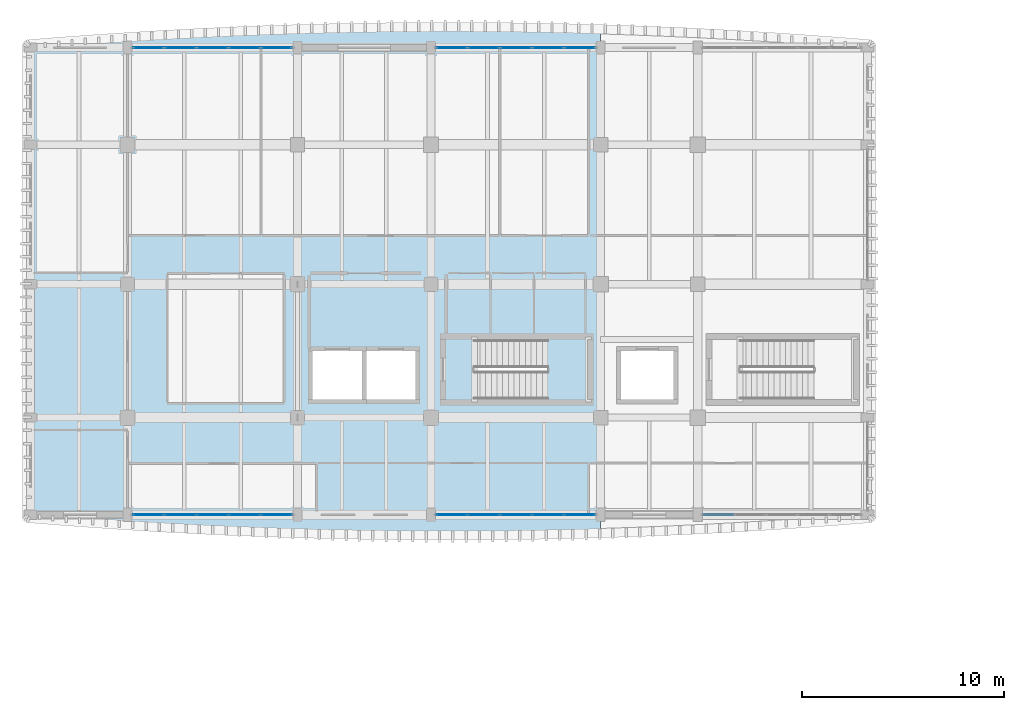
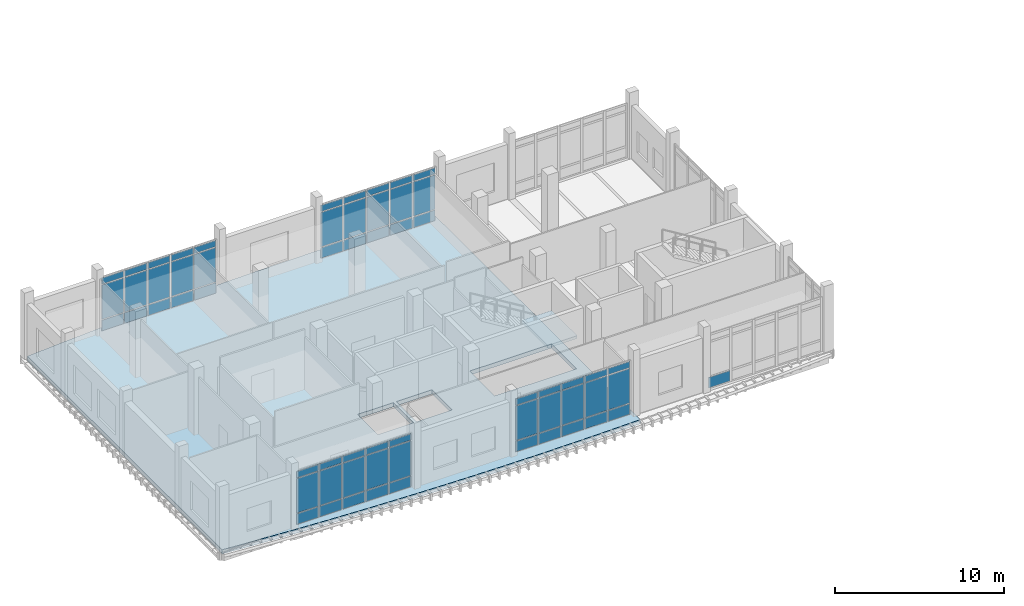
# One storey, part 14 of 39: 61 plates, 2 slabs, 6 elements without a shape of their own.
"""IFC4 building model written with IfcOpenShell, lengths in metres."""

from ifc_helpers import new_model, si_unit, direction, frame, origin, origin_2d, place, context, subcontext, project, spatial, polyline, rectangle, outline, extrude, material, layer, layer_set, type_object, element, aggregate, save


model = new_model("IFC4")

# Units and contexts
model_context = context("Model", 3, precision=1e-05, world=origin(), true_north=direction((0.0, 1.0)))
body_context = subcontext(model_context, "Body", "Model", "MODEL_VIEW")
ifc_project = project(units=[si_unit("LENGTHUNIT", "METRE"), si_unit("AREAUNIT", "SQUARE_METRE"), si_unit("VOLUMEUNIT", "CUBIC_METRE"), si_unit("PLANEANGLEUNIT", "RADIAN"), si_unit("MASSUNIT", "GRAM", prefix="KILO")], contexts=[model_context])

# Site, building, storey
site_placement = place(None, origin())
site = spatial("IfcSite", under=ifc_project, at=site_placement, CompositionType="ELEMENT")
building_placement = place(site_placement, origin())
building = spatial("IfcBuilding", under=site, at=building_placement, Name="Dornvale Research Institute", CompositionType="ELEMENT")
storey_placement = place(building_placement, frame((0.0, 0.0, 24.60009765625)))
storey = spatial("IfcBuildingStorey", under=building, at=storey_placement, Name="L05", CompositionType="ELEMENT", Elevation=24.60009765625)

# Curtain wall, plates
ifc_material_1 = material(Name="Low-E Argon Double Insulating Glazing Unit", Category="glass")
curtain_wall_type_1 = type_object("IfcCurtainWallType", Name="UnitisedCurtainWall_V5_7950x3950", PredefinedType="USERDEFINED", material=ifc_material_1)
curtain_wall_1_placement = place(storey_placement, origin())
curtain_wall_1 = element("IfcCurtainWall", 1, at=curtain_wall_1_placement, inside=storey, type_object=curtain_wall_type_1, Name="L05 V5 unitised curtain wall CW-30 #165", ObjectType="UNITISED CURTAIN WALL", PredefinedType="USERDEFINED")
ifc_material_2 = material(Name="Insulated Ceramic-Frit Spandrel Glass Panel", Category="glass")
ifc_layer_1 = layer(ifc_material_2, 0.0419921875)
ifc_layer_set_1 = layer_set([ifc_layer_1], Name="Insulated Ceramic-Frit Spandrel Glass Panel")
plate_type_1 = type_object("IfcPlateType", Name="CurtainPanel_Spandrel_42", PredefinedType="CURTAIN_PANEL", material=ifc_layer_set_1)
plate_1_placement = place(storey_placement, frame((5.836181640625, 122.10009765625, 0.06494140625), z_axis=(0.0, 0.0, 1.0), x_axis=(1.0, 0.0, 0.0)))
plate_1 = element("IfcPlate", 2, at=plate_1_placement, type_object=plate_type_1, Name="CW-30 panel 1.1", PredefinedType="CURTAIN_PANEL", context=body_context, shape_type="SweptSolid", body=[
    extrude(rectangle(XDim=1.492431640625, YDim=0.0419921875, at=origin_2d()), origin(), (0.0, 0.0, 1.0), 0.75244140625),
])
plate_2_placement = place(storey_placement, frame((7.409912109375, 122.10009765625, 0.06494140625), z_axis=(0.0, 0.0, 1.0), x_axis=(1.0, 0.0, 0.0)))
plate_2 = element("IfcPlate", 3, at=plate_2_placement, type_object=plate_type_1, Name="CW-30 panel 2.1", PredefinedType="CURTAIN_PANEL", context=body_context, shape_type="SweptSolid", body=[
    extrude(rectangle(XDim=1.52490234375, YDim=0.0419921875, at=origin_2d()), origin(), (0.0, 0.0, 1.0), 0.75244140625),
])
plate_3_placement = place(storey_placement, frame((9.0, 122.10009765625, 0.06494140625), z_axis=(0.0, 0.0, 1.0), x_axis=(1.0, 0.0, 0.0)))
plate_3 = element("IfcPlate", 4, at=plate_3_placement, type_object=plate_type_1, Name="CW-30 panel 3.1", PredefinedType="CURTAIN_PANEL", context=body_context, shape_type="SweptSolid", body=[
    extrude(rectangle(XDim=1.52490234375, YDim=0.0419921875, at=origin_2d()), origin(), (0.0, 0.0, 1.0), 0.75244140625),
])
plate_4_placement = place(storey_placement, frame((10.590087890625, 122.10009765625, 0.06494140625), z_axis=(0.0, 0.0, 1.0), x_axis=(1.0, 0.0, 0.0)))
plate_4 = element("IfcPlate", 5, at=plate_4_placement, type_object=plate_type_1, Name="CW-30 panel 4.1", PredefinedType="CURTAIN_PANEL", context=body_context, shape_type="SweptSolid", body=[
    extrude(rectangle(XDim=1.52490234375, YDim=0.0419921875, at=origin_2d()), origin(), (0.0, 0.0, 1.0), 0.75244140625),
])
plate_5_placement = place(storey_placement, frame((12.163818359375, 122.10009765625, 0.06494140625), z_axis=(0.0, 0.0, 1.0), x_axis=(1.0, 0.0, 0.0)))
plate_5 = element("IfcPlate", 6, at=plate_5_placement, type_object=plate_type_1, Name="CW-30 panel 5.1", PredefinedType="CURTAIN_PANEL", context=body_context, shape_type="SweptSolid", body=[
    extrude(rectangle(XDim=1.492431640625, YDim=0.0419921875, at=origin_2d()), origin(), (0.0, 0.0, 1.0), 0.75244140625),
])

curtain_wall_2_placement = place(storey_placement, origin())
curtain_wall_2 = element("IfcCurtainWall", 7, at=curtain_wall_2_placement, inside=storey, type_object=curtain_wall_type_1, Name="L05 V5 unitised curtain wall CW-30 #166", ObjectType="UNITISED CURTAIN WALL", PredefinedType="USERDEFINED")
plate_6_placement = place(storey_placement, frame((20.836181640625, 122.10009765625, 0.06494140625), z_axis=(0.0, 0.0, 1.0), x_axis=(1.0, 0.0, 0.0)))
plate_6 = element("IfcPlate", 8, at=plate_6_placement, type_object=plate_type_1, Name="CW-30 panel 1.1", PredefinedType="CURTAIN_PANEL", context=body_context, shape_type="SweptSolid", body=[
    extrude(rectangle(XDim=1.492431640625, YDim=0.0419921875, at=origin_2d()), origin(), (0.0, 0.0, 1.0), 0.75244140625),
])
plate_7_placement = place(storey_placement, frame((22.409912109375, 122.10009765625, 0.06494140625), z_axis=(0.0, 0.0, 1.0), x_axis=(1.0, 0.0, 0.0)))
plate_7 = element("IfcPlate", 9, at=plate_7_placement, type_object=plate_type_1, Name="CW-30 panel 2.1", PredefinedType="CURTAIN_PANEL", context=body_context, shape_type="SweptSolid", body=[
    extrude(rectangle(XDim=1.52490234375, YDim=0.0419921875, at=origin_2d()), origin(), (0.0, 0.0, 1.0), 0.75244140625),
])
plate_8_placement = place(storey_placement, frame((24.0, 122.10009765625, 0.06494140625), z_axis=(0.0, 0.0, 1.0), x_axis=(1.0, 0.0, 0.0)))
plate_8 = element("IfcPlate", 10, at=plate_8_placement, type_object=plate_type_1, Name="CW-30 panel 3.1", PredefinedType="CURTAIN_PANEL", context=body_context, shape_type="SweptSolid", body=[
    extrude(rectangle(XDim=1.52490234375, YDim=0.0419921875, at=origin_2d()), origin(), (0.0, 0.0, 1.0), 0.75244140625),
])
plate_9_placement = place(storey_placement, frame((25.590087890625, 122.10009765625, 0.06494140625), z_axis=(0.0, 0.0, 1.0), x_axis=(1.0, 0.0, 0.0)))
plate_9 = element("IfcPlate", 11, at=plate_9_placement, type_object=plate_type_1, Name="CW-30 panel 4.1", PredefinedType="CURTAIN_PANEL", context=body_context, shape_type="SweptSolid", body=[
    extrude(rectangle(XDim=1.52490234375, YDim=0.0419921875, at=origin_2d()), origin(), (0.0, 0.0, 1.0), 0.75244140625),
])
plate_10_placement = place(storey_placement, frame((27.163818359375, 122.10009765625, 0.06494140625), z_axis=(0.0, 0.0, 1.0), x_axis=(1.0, 0.0, 0.0)))
plate_10 = element("IfcPlate", 12, at=plate_10_placement, type_object=plate_type_1, Name="CW-30 panel 5.1", PredefinedType="CURTAIN_PANEL", context=body_context, shape_type="SweptSolid", body=[
    extrude(rectangle(XDim=1.492431640625, YDim=0.0419921875, at=origin_2d()), origin(), (0.0, 0.0, 1.0), 0.75244140625),
])

# Curtain wall, plate
ifc_material_3 = material(Name="Low-E Argon Double Insulating Glazing Unit", Category="glass")
curtain_wall_type_2 = type_object("IfcCurtainWallType", Name="UnitisedCurtainWall_V5_7850x3950", PredefinedType="USERDEFINED", material=ifc_material_3)
curtain_wall_3_placement = place(storey_placement, origin())
curtain_wall_3 = element("IfcCurtainWall", 13, at=curtain_wall_3_placement, inside=storey, type_object=curtain_wall_type_2, Name="L05 V5 unitised curtain wall CW-31 #170", ObjectType="UNITISED CURTAIN WALL", PredefinedType="USERDEFINED")
plate_11_placement = place(storey_placement, frame((34.0263671875, 99.0, 0.06494140625), z_axis=(0.0, 0.0, 1.0), x_axis=(-1.0, 0.0, 0.0)))
plate_11 = element("IfcPlate", 14, at=plate_11_placement, type_object=plate_type_1, Name="CW-31 panel 5.1", PredefinedType="CURTAIN_PANEL", context=body_context, shape_type="SweptSolid", body=[
    extrude(rectangle(XDim=1.472412109375, YDim=0.0419921875, at=origin_2d()), origin(), (0.0, 0.0, 1.0), 0.75244140625),
])
aggregate(curtain_wall_3, [plate_11])

# Curtain wall, plates
curtain_wall_4_placement = place(storey_placement, origin())
curtain_wall_4 = element("IfcCurtainWall", 15, at=curtain_wall_4_placement, inside=storey, type_object=curtain_wall_type_1, Name="L05 V5 unitised curtain wall CW-30 #171", ObjectType="UNITISED CURTAIN WALL", PredefinedType="USERDEFINED")
plate_12_placement = place(storey_placement, frame((27.163818359375, 99.0, 0.06494140625), z_axis=(0.0, 0.0, 1.0), x_axis=(-1.0, 0.0, 0.0)))
plate_12 = element("IfcPlate", 16, at=plate_12_placement, type_object=plate_type_1, Name="CW-30 panel 1.1", PredefinedType="CURTAIN_PANEL", context=body_context, shape_type="SweptSolid", body=[
    extrude(rectangle(XDim=1.492431640625, YDim=0.0419921875, at=origin_2d()), origin(), (0.0, 0.0, 1.0), 0.75244140625),
])
plate_13_placement = place(storey_placement, frame((25.590087890625, 99.0, 0.06494140625), z_axis=(0.0, 0.0, 1.0), x_axis=(-1.0, 0.0, 0.0)))
plate_13 = element("IfcPlate", 17, at=plate_13_placement, type_object=plate_type_1, Name="CW-30 panel 2.1", PredefinedType="CURTAIN_PANEL", context=body_context, shape_type="SweptSolid", body=[
    extrude(rectangle(XDim=1.52490234375, YDim=0.0419921875, at=origin_2d()), origin(), (0.0, 0.0, 1.0), 0.75244140625),
])
plate_14_placement = place(storey_placement, frame((24.0, 99.0, 0.06494140625), z_axis=(0.0, 0.0, 1.0), x_axis=(-1.0, 0.0, 0.0)))
plate_14 = element("IfcPlate", 18, at=plate_14_placement, type_object=plate_type_1, Name="CW-30 panel 3.1", PredefinedType="CURTAIN_PANEL", context=body_context, shape_type="SweptSolid", body=[
    extrude(rectangle(XDim=1.52490234375, YDim=0.0419921875, at=origin_2d()), origin(), (0.0, 0.0, 1.0), 0.75244140625),
])
plate_15_placement = place(storey_placement, frame((22.409912109375, 99.0, 0.06494140625), z_axis=(0.0, 0.0, 1.0), x_axis=(-1.0, 0.0, 0.0)))
plate_15 = element("IfcPlate", 19, at=plate_15_placement, type_object=plate_type_1, Name="CW-30 panel 4.1", PredefinedType="CURTAIN_PANEL", context=body_context, shape_type="SweptSolid", body=[
    extrude(rectangle(XDim=1.52490234375, YDim=0.0419921875, at=origin_2d()), origin(), (0.0, 0.0, 1.0), 0.75244140625),
])
plate_16_placement = place(storey_placement, frame((20.836181640625, 99.0, 0.06494140625), z_axis=(0.0, 0.0, 1.0), x_axis=(-1.0, 0.0, 0.0)))
plate_16 = element("IfcPlate", 20, at=plate_16_placement, type_object=plate_type_1, Name="CW-30 panel 5.1", PredefinedType="CURTAIN_PANEL", context=body_context, shape_type="SweptSolid", body=[
    extrude(rectangle(XDim=1.492431640625, YDim=0.0419921875, at=origin_2d()), origin(), (0.0, 0.0, 1.0), 0.75244140625),
])

curtain_wall_5_placement = place(storey_placement, origin())
curtain_wall_5 = element("IfcCurtainWall", 21, at=curtain_wall_5_placement, inside=storey, type_object=curtain_wall_type_1, Name="L05 V5 unitised curtain wall CW-30 #172", ObjectType="UNITISED CURTAIN WALL", PredefinedType="USERDEFINED")
plate_17_placement = place(storey_placement, frame((12.163818359375, 99.0, 0.06494140625), z_axis=(0.0, 0.0, 1.0), x_axis=(-1.0, 0.0, 0.0)))
plate_17 = element("IfcPlate", 22, at=plate_17_placement, type_object=plate_type_1, Name="CW-30 panel 1.1", PredefinedType="CURTAIN_PANEL", context=body_context, shape_type="SweptSolid", body=[
    extrude(rectangle(XDim=1.492431640625, YDim=0.0419921875, at=origin_2d()), origin(), (0.0, 0.0, 1.0), 0.75244140625),
])
plate_18_placement = place(storey_placement, frame((10.590087890625, 99.0, 0.06494140625), z_axis=(0.0, 0.0, 1.0), x_axis=(-1.0, 0.0, 0.0)))
plate_18 = element("IfcPlate", 23, at=plate_18_placement, type_object=plate_type_1, Name="CW-30 panel 2.1", PredefinedType="CURTAIN_PANEL", context=body_context, shape_type="SweptSolid", body=[
    extrude(rectangle(XDim=1.52490234375, YDim=0.0419921875, at=origin_2d()), origin(), (0.0, 0.0, 1.0), 0.75244140625),
])
plate_19_placement = place(storey_placement, frame((9.0, 99.0, 0.06494140625), z_axis=(0.0, 0.0, 1.0), x_axis=(-1.0, 0.0, 0.0)))
plate_19 = element("IfcPlate", 24, at=plate_19_placement, type_object=plate_type_1, Name="CW-30 panel 3.1", PredefinedType="CURTAIN_PANEL", context=body_context, shape_type="SweptSolid", body=[
    extrude(rectangle(XDim=1.52490234375, YDim=0.0419921875, at=origin_2d()), origin(), (0.0, 0.0, 1.0), 0.75244140625),
])
plate_20_placement = place(storey_placement, frame((7.409912109375, 99.0, 0.06494140625), z_axis=(0.0, 0.0, 1.0), x_axis=(-1.0, 0.0, 0.0)))
plate_20 = element("IfcPlate", 25, at=plate_20_placement, type_object=plate_type_1, Name="CW-30 panel 4.1", PredefinedType="CURTAIN_PANEL", context=body_context, shape_type="SweptSolid", body=[
    extrude(rectangle(XDim=1.52490234375, YDim=0.0419921875, at=origin_2d()), origin(), (0.0, 0.0, 1.0), 0.75244140625),
])
plate_21_placement = place(storey_placement, frame((5.836181640625, 99.0, 0.06494140625), z_axis=(0.0, 0.0, 1.0), x_axis=(-1.0, 0.0, 0.0)))
plate_21 = element("IfcPlate", 26, at=plate_21_placement, type_object=plate_type_1, Name="CW-30 panel 5.1", PredefinedType="CURTAIN_PANEL", context=body_context, shape_type="SweptSolid", body=[
    extrude(rectangle(XDim=1.492431640625, YDim=0.0419921875, at=origin_2d()), origin(), (0.0, 0.0, 1.0), 0.75244140625),
])

# Plate
ifc_material_4 = material(Name="Low-E Argon Double Insulating Glazing Unit", Category="glass")
ifc_layer_2 = layer(ifc_material_4, 0.028076171875)
ifc_layer_set_2 = layer_set([ifc_layer_2], Name="Low-E Argon Double Insulating Glazing Unit")
plate_type_2 = type_object("IfcPlateType", Name="CurtainPanel_Vision_28", PredefinedType="CURTAIN_PANEL", material=ifc_layer_set_2)
plate_22_placement = place(storey_placement, frame((5.836181640625, 122.10009765625, 0.88232421875), z_axis=(0.0, 0.0, 1.0), x_axis=(1.0, 0.0, 0.0)))
plate_22 = element("IfcPlate", 27, at=plate_22_placement, type_object=plate_type_2, Name="CW-30 panel 1.2", PredefinedType="CURTAIN_PANEL", context=body_context, shape_type="SweptSolid", body=[
    extrude(rectangle(XDim=1.492431640625, YDim=0.028076171875, at=origin_2d()), origin(), (0.0, 0.0, 1.0), 2.485107421875),
])

plate_23_placement = place(storey_placement, frame((5.836181640625, 122.10009765625, 3.4326171875), z_axis=(0.0, 0.0, 1.0), x_axis=(1.0, 0.0, 0.0)))
plate_23 = element("IfcPlate", 28, at=plate_23_placement, type_object=plate_type_2, Name="CW-30 panel 1.3", PredefinedType="CURTAIN_PANEL", context=body_context, shape_type="SweptSolid", body=[
    extrude(rectangle(XDim=1.492431640625, YDim=0.028076171875, at=origin_2d()), origin(), (0.0, 0.0, 1.0), 0.452392578125),
])

plate_24_placement = place(storey_placement, frame((7.409912109375, 122.10009765625, 0.88232421875), z_axis=(0.0, 0.0, 1.0), x_axis=(1.0, 0.0, 0.0)))
plate_24 = element("IfcPlate", 29, at=plate_24_placement, type_object=plate_type_2, Name="CW-30 panel 2.2", PredefinedType="CURTAIN_PANEL", context=body_context, shape_type="SweptSolid", body=[
    extrude(rectangle(XDim=1.52490234375, YDim=0.028076171875, at=origin_2d()), origin(), (0.0, 0.0, 1.0), 2.485107421875),
])

plate_25_placement = place(storey_placement, frame((7.409912109375, 122.10009765625, 3.4326171875), z_axis=(0.0, 0.0, 1.0), x_axis=(1.0, 0.0, 0.0)))
plate_25 = element("IfcPlate", 30, at=plate_25_placement, type_object=plate_type_2, Name="CW-30 panel 2.3", PredefinedType="CURTAIN_PANEL", context=body_context, shape_type="SweptSolid", body=[
    extrude(rectangle(XDim=1.52490234375, YDim=0.028076171875, at=origin_2d()), origin(), (0.0, 0.0, 1.0), 0.452392578125),
])

plate_26_placement = place(storey_placement, frame((9.0, 122.10009765625, 0.88232421875), z_axis=(0.0, 0.0, 1.0), x_axis=(1.0, 0.0, 0.0)))
plate_26 = element("IfcPlate", 31, at=plate_26_placement, type_object=plate_type_2, Name="CW-30 panel 3.2", PredefinedType="CURTAIN_PANEL", context=body_context, shape_type="SweptSolid", body=[
    extrude(rectangle(XDim=1.52490234375, YDim=0.028076171875, at=origin_2d()), origin(), (0.0, 0.0, 1.0), 2.485107421875),
])

plate_27_placement = place(storey_placement, frame((9.0, 122.10009765625, 3.4326171875), z_axis=(0.0, 0.0, 1.0), x_axis=(1.0, 0.0, 0.0)))
plate_27 = element("IfcPlate", 32, at=plate_27_placement, type_object=plate_type_2, Name="CW-30 panel 3.3", PredefinedType="CURTAIN_PANEL", context=body_context, shape_type="SweptSolid", body=[
    extrude(rectangle(XDim=1.52490234375, YDim=0.028076171875, at=origin_2d()), origin(), (0.0, 0.0, 1.0), 0.452392578125),
])

plate_28_placement = place(storey_placement, frame((10.590087890625, 122.10009765625, 0.88232421875), z_axis=(0.0, 0.0, 1.0), x_axis=(1.0, 0.0, 0.0)))
plate_28 = element("IfcPlate", 33, at=plate_28_placement, type_object=plate_type_2, Name="CW-30 panel 4.2", PredefinedType="CURTAIN_PANEL", context=body_context, shape_type="SweptSolid", body=[
    extrude(rectangle(XDim=1.52490234375, YDim=0.028076171875, at=origin_2d()), origin(), (0.0, 0.0, 1.0), 2.485107421875),
])

plate_29_placement = place(storey_placement, frame((10.590087890625, 122.10009765625, 3.4326171875), z_axis=(0.0, 0.0, 1.0), x_axis=(1.0, 0.0, 0.0)))
plate_29 = element("IfcPlate", 34, at=plate_29_placement, type_object=plate_type_2, Name="CW-30 panel 4.3", PredefinedType="CURTAIN_PANEL", context=body_context, shape_type="SweptSolid", body=[
    extrude(rectangle(XDim=1.52490234375, YDim=0.028076171875, at=origin_2d()), origin(), (0.0, 0.0, 1.0), 0.452392578125),
])

plate_30_placement = place(storey_placement, frame((12.163818359375, 122.10009765625, 0.88232421875), z_axis=(0.0, 0.0, 1.0), x_axis=(1.0, 0.0, 0.0)))
plate_30 = element("IfcPlate", 35, at=plate_30_placement, type_object=plate_type_2, Name="CW-30 panel 5.2", PredefinedType="CURTAIN_PANEL", context=body_context, shape_type="SweptSolid", body=[
    extrude(rectangle(XDim=1.492431640625, YDim=0.028076171875, at=origin_2d()), origin(), (0.0, 0.0, 1.0), 2.485107421875),
])

plate_31_placement = place(storey_placement, frame((12.163818359375, 122.10009765625, 3.4326171875), z_axis=(0.0, 0.0, 1.0), x_axis=(1.0, 0.0, 0.0)))
plate_31 = element("IfcPlate", 36, at=plate_31_placement, type_object=plate_type_2, Name="CW-30 panel 5.3", PredefinedType="CURTAIN_PANEL", context=body_context, shape_type="SweptSolid", body=[
    extrude(rectangle(XDim=1.492431640625, YDim=0.028076171875, at=origin_2d()), origin(), (0.0, 0.0, 1.0), 0.452392578125),
])

aggregate(curtain_wall_1, [plate_1, plate_22, plate_23, plate_2, plate_24, plate_25, plate_3, plate_26, plate_27, plate_4, plate_28, plate_29, plate_5, plate_30, plate_31])

plate_32_placement = place(storey_placement, frame((20.836181640625, 122.10009765625, 0.88232421875), z_axis=(0.0, 0.0, 1.0), x_axis=(1.0, 0.0, 0.0)))
plate_32 = element("IfcPlate", 37, at=plate_32_placement, type_object=plate_type_2, Name="CW-30 panel 1.2", PredefinedType="CURTAIN_PANEL", context=body_context, shape_type="SweptSolid", body=[
    extrude(rectangle(XDim=1.492431640625, YDim=0.028076171875, at=origin_2d()), origin(), (0.0, 0.0, 1.0), 2.485107421875),
])

plate_33_placement = place(storey_placement, frame((20.836181640625, 122.10009765625, 3.4326171875), z_axis=(0.0, 0.0, 1.0), x_axis=(1.0, 0.0, 0.0)))
plate_33 = element("IfcPlate", 38, at=plate_33_placement, type_object=plate_type_2, Name="CW-30 panel 1.3", PredefinedType="CURTAIN_PANEL", context=body_context, shape_type="SweptSolid", body=[
    extrude(rectangle(XDim=1.492431640625, YDim=0.028076171875, at=origin_2d()), origin(), (0.0, 0.0, 1.0), 0.452392578125),
])

plate_34_placement = place(storey_placement, frame((22.409912109375, 122.10009765625, 0.88232421875), z_axis=(0.0, 0.0, 1.0), x_axis=(1.0, 0.0, 0.0)))
plate_34 = element("IfcPlate", 39, at=plate_34_placement, type_object=plate_type_2, Name="CW-30 panel 2.2", PredefinedType="CURTAIN_PANEL", context=body_context, shape_type="SweptSolid", body=[
    extrude(rectangle(XDim=1.52490234375, YDim=0.028076171875, at=origin_2d()), origin(), (0.0, 0.0, 1.0), 2.485107421875),
])

plate_35_placement = place(storey_placement, frame((22.409912109375, 122.10009765625, 3.4326171875), z_axis=(0.0, 0.0, 1.0), x_axis=(1.0, 0.0, 0.0)))
plate_35 = element("IfcPlate", 40, at=plate_35_placement, type_object=plate_type_2, Name="CW-30 panel 2.3", PredefinedType="CURTAIN_PANEL", context=body_context, shape_type="SweptSolid", body=[
    extrude(rectangle(XDim=1.52490234375, YDim=0.028076171875, at=origin_2d()), origin(), (0.0, 0.0, 1.0), 0.452392578125),
])

plate_36_placement = place(storey_placement, frame((24.0, 122.10009765625, 0.88232421875), z_axis=(0.0, 0.0, 1.0), x_axis=(1.0, 0.0, 0.0)))
plate_36 = element("IfcPlate", 41, at=plate_36_placement, type_object=plate_type_2, Name="CW-30 panel 3.2", PredefinedType="CURTAIN_PANEL", context=body_context, shape_type="SweptSolid", body=[
    extrude(rectangle(XDim=1.52490234375, YDim=0.028076171875, at=origin_2d()), origin(), (0.0, 0.0, 1.0), 2.485107421875),
])

plate_37_placement = place(storey_placement, frame((24.0, 122.10009765625, 3.4326171875), z_axis=(0.0, 0.0, 1.0), x_axis=(1.0, 0.0, 0.0)))
plate_37 = element("IfcPlate", 42, at=plate_37_placement, type_object=plate_type_2, Name="CW-30 panel 3.3", PredefinedType="CURTAIN_PANEL", context=body_context, shape_type="SweptSolid", body=[
    extrude(rectangle(XDim=1.52490234375, YDim=0.028076171875, at=origin_2d()), origin(), (0.0, 0.0, 1.0), 0.452392578125),
])

plate_38_placement = place(storey_placement, frame((25.590087890625, 122.10009765625, 0.88232421875), z_axis=(0.0, 0.0, 1.0), x_axis=(1.0, 0.0, 0.0)))
plate_38 = element("IfcPlate", 43, at=plate_38_placement, type_object=plate_type_2, Name="CW-30 panel 4.2", PredefinedType="CURTAIN_PANEL", context=body_context, shape_type="SweptSolid", body=[
    extrude(rectangle(XDim=1.52490234375, YDim=0.028076171875, at=origin_2d()), origin(), (0.0, 0.0, 1.0), 2.485107421875),
])

plate_39_placement = place(storey_placement, frame((25.590087890625, 122.10009765625, 3.4326171875), z_axis=(0.0, 0.0, 1.0), x_axis=(1.0, 0.0, 0.0)))
plate_39 = element("IfcPlate", 44, at=plate_39_placement, type_object=plate_type_2, Name="CW-30 panel 4.3", PredefinedType="CURTAIN_PANEL", context=body_context, shape_type="SweptSolid", body=[
    extrude(rectangle(XDim=1.52490234375, YDim=0.028076171875, at=origin_2d()), origin(), (0.0, 0.0, 1.0), 0.452392578125),
])

plate_40_placement = place(storey_placement, frame((27.163818359375, 122.10009765625, 0.88232421875), z_axis=(0.0, 0.0, 1.0), x_axis=(1.0, 0.0, 0.0)))
plate_40 = element("IfcPlate", 45, at=plate_40_placement, type_object=plate_type_2, Name="CW-30 panel 5.2", PredefinedType="CURTAIN_PANEL", context=body_context, shape_type="SweptSolid", body=[
    extrude(rectangle(XDim=1.492431640625, YDim=0.028076171875, at=origin_2d()), origin(), (0.0, 0.0, 1.0), 2.485107421875),
])

plate_41_placement = place(storey_placement, frame((27.163818359375, 122.10009765625, 3.4326171875), z_axis=(0.0, 0.0, 1.0), x_axis=(1.0, 0.0, 0.0)))
plate_41 = element("IfcPlate", 46, at=plate_41_placement, type_object=plate_type_2, Name="CW-30 panel 5.3", PredefinedType="CURTAIN_PANEL", context=body_context, shape_type="SweptSolid", body=[
    extrude(rectangle(XDim=1.492431640625, YDim=0.028076171875, at=origin_2d()), origin(), (0.0, 0.0, 1.0), 0.452392578125),
])

aggregate(curtain_wall_2, [plate_6, plate_32, plate_33, plate_7, plate_34, plate_35, plate_8, plate_36, plate_37, plate_9, plate_38, plate_39, plate_10, plate_40, plate_41])

plate_42_placement = place(storey_placement, frame((27.163818359375, 99.0, 0.88232421875), z_axis=(0.0, 0.0, 1.0), x_axis=(-1.0, 0.0, 0.0)))
plate_42 = element("IfcPlate", 47, at=plate_42_placement, type_object=plate_type_2, Name="CW-30 panel 1.2", PredefinedType="CURTAIN_PANEL", context=body_context, shape_type="SweptSolid", body=[
    extrude(rectangle(XDim=1.492431640625, YDim=0.028076171875, at=origin_2d()), origin(), (0.0, 0.0, 1.0), 2.485107421875),
])

plate_43_placement = place(storey_placement, frame((27.163818359375, 99.0, 3.4326171875), z_axis=(0.0, 0.0, 1.0), x_axis=(-1.0, 0.0, 0.0)))
plate_43 = element("IfcPlate", 48, at=plate_43_placement, type_object=plate_type_2, Name="CW-30 panel 1.3", PredefinedType="CURTAIN_PANEL", context=body_context, shape_type="SweptSolid", body=[
    extrude(rectangle(XDim=1.492431640625, YDim=0.028076171875, at=origin_2d()), origin(), (0.0, 0.0, 1.0), 0.452392578125),
])

plate_44_placement = place(storey_placement, frame((25.590087890625, 99.0, 0.88232421875), z_axis=(0.0, 0.0, 1.0), x_axis=(-1.0, 0.0, 0.0)))
plate_44 = element("IfcPlate", 49, at=plate_44_placement, type_object=plate_type_2, Name="CW-30 panel 2.2", PredefinedType="CURTAIN_PANEL", context=body_context, shape_type="SweptSolid", body=[
    extrude(rectangle(XDim=1.52490234375, YDim=0.028076171875, at=origin_2d()), origin(), (0.0, 0.0, 1.0), 2.485107421875),
])

plate_45_placement = place(storey_placement, frame((25.590087890625, 99.0, 3.4326171875), z_axis=(0.0, 0.0, 1.0), x_axis=(-1.0, 0.0, 0.0)))
plate_45 = element("IfcPlate", 50, at=plate_45_placement, type_object=plate_type_2, Name="CW-30 panel 2.3", PredefinedType="CURTAIN_PANEL", context=body_context, shape_type="SweptSolid", body=[
    extrude(rectangle(XDim=1.52490234375, YDim=0.028076171875, at=origin_2d()), origin(), (0.0, 0.0, 1.0), 0.452392578125),
])

plate_46_placement = place(storey_placement, frame((24.0, 99.0, 0.88232421875), z_axis=(0.0, 0.0, 1.0), x_axis=(-1.0, 0.0, 0.0)))
plate_46 = element("IfcPlate", 51, at=plate_46_placement, type_object=plate_type_2, Name="CW-30 panel 3.2", PredefinedType="CURTAIN_PANEL", context=body_context, shape_type="SweptSolid", body=[
    extrude(rectangle(XDim=1.52490234375, YDim=0.028076171875, at=origin_2d()), origin(), (0.0, 0.0, 1.0), 2.485107421875),
])

plate_47_placement = place(storey_placement, frame((24.0, 99.0, 3.4326171875), z_axis=(0.0, 0.0, 1.0), x_axis=(-1.0, 0.0, 0.0)))
plate_47 = element("IfcPlate", 52, at=plate_47_placement, type_object=plate_type_2, Name="CW-30 panel 3.3", PredefinedType="CURTAIN_PANEL", context=body_context, shape_type="SweptSolid", body=[
    extrude(rectangle(XDim=1.52490234375, YDim=0.028076171875, at=origin_2d()), origin(), (0.0, 0.0, 1.0), 0.452392578125),
])

plate_48_placement = place(storey_placement, frame((22.409912109375, 99.0, 0.88232421875), z_axis=(0.0, 0.0, 1.0), x_axis=(-1.0, 0.0, 0.0)))
plate_48 = element("IfcPlate", 53, at=plate_48_placement, type_object=plate_type_2, Name="CW-30 panel 4.2", PredefinedType="CURTAIN_PANEL", context=body_context, shape_type="SweptSolid", body=[
    extrude(rectangle(XDim=1.52490234375, YDim=0.028076171875, at=origin_2d()), origin(), (0.0, 0.0, 1.0), 2.485107421875),
])

plate_49_placement = place(storey_placement, frame((22.409912109375, 99.0, 3.4326171875), z_axis=(0.0, 0.0, 1.0), x_axis=(-1.0, 0.0, 0.0)))
plate_49 = element("IfcPlate", 54, at=plate_49_placement, type_object=plate_type_2, Name="CW-30 panel 4.3", PredefinedType="CURTAIN_PANEL", context=body_context, shape_type="SweptSolid", body=[
    extrude(rectangle(XDim=1.52490234375, YDim=0.028076171875, at=origin_2d()), origin(), (0.0, 0.0, 1.0), 0.452392578125),
])

plate_50_placement = place(storey_placement, frame((20.836181640625, 99.0, 0.88232421875), z_axis=(0.0, 0.0, 1.0), x_axis=(-1.0, 0.0, 0.0)))
plate_50 = element("IfcPlate", 55, at=plate_50_placement, type_object=plate_type_2, Name="CW-30 panel 5.2", PredefinedType="CURTAIN_PANEL", context=body_context, shape_type="SweptSolid", body=[
    extrude(rectangle(XDim=1.492431640625, YDim=0.028076171875, at=origin_2d()), origin(), (0.0, 0.0, 1.0), 2.485107421875),
])

plate_51_placement = place(storey_placement, frame((20.836181640625, 99.0, 3.4326171875), z_axis=(0.0, 0.0, 1.0), x_axis=(-1.0, 0.0, 0.0)))
plate_51 = element("IfcPlate", 56, at=plate_51_placement, type_object=plate_type_2, Name="CW-30 panel 5.3", PredefinedType="CURTAIN_PANEL", context=body_context, shape_type="SweptSolid", body=[
    extrude(rectangle(XDim=1.492431640625, YDim=0.028076171875, at=origin_2d()), origin(), (0.0, 0.0, 1.0), 0.452392578125),
])

aggregate(curtain_wall_4, [plate_12, plate_42, plate_43, plate_13, plate_44, plate_45, plate_14, plate_46, plate_47, plate_15, plate_48, plate_49, plate_16, plate_50, plate_51])

plate_52_placement = place(storey_placement, frame((12.163818359375, 99.0, 0.88232421875), z_axis=(0.0, 0.0, 1.0), x_axis=(-1.0, 0.0, 0.0)))
plate_52 = element("IfcPlate", 57, at=plate_52_placement, type_object=plate_type_2, Name="CW-30 panel 1.2", PredefinedType="CURTAIN_PANEL", context=body_context, shape_type="SweptSolid", body=[
    extrude(rectangle(XDim=1.492431640625, YDim=0.028076171875, at=origin_2d()), origin(), (0.0, 0.0, 1.0), 2.485107421875),
])

plate_53_placement = place(storey_placement, frame((12.163818359375, 99.0, 3.4326171875), z_axis=(0.0, 0.0, 1.0), x_axis=(-1.0, 0.0, 0.0)))
plate_53 = element("IfcPlate", 58, at=plate_53_placement, type_object=plate_type_2, Name="CW-30 panel 1.3", PredefinedType="CURTAIN_PANEL", context=body_context, shape_type="SweptSolid", body=[
    extrude(rectangle(XDim=1.492431640625, YDim=0.028076171875, at=origin_2d()), origin(), (0.0, 0.0, 1.0), 0.452392578125),
])

plate_54_placement = place(storey_placement, frame((10.590087890625, 99.0, 0.88232421875), z_axis=(0.0, 0.0, 1.0), x_axis=(-1.0, 0.0, 0.0)))
plate_54 = element("IfcPlate", 59, at=plate_54_placement, type_object=plate_type_2, Name="CW-30 panel 2.2", PredefinedType="CURTAIN_PANEL", context=body_context, shape_type="SweptSolid", body=[
    extrude(rectangle(XDim=1.52490234375, YDim=0.028076171875, at=origin_2d()), origin(), (0.0, 0.0, 1.0), 2.485107421875),
])

plate_55_placement = place(storey_placement, frame((10.590087890625, 99.0, 3.4326171875), z_axis=(0.0, 0.0, 1.0), x_axis=(-1.0, 0.0, 0.0)))
plate_55 = element("IfcPlate", 60, at=plate_55_placement, type_object=plate_type_2, Name="CW-30 panel 2.3", PredefinedType="CURTAIN_PANEL", context=body_context, shape_type="SweptSolid", body=[
    extrude(rectangle(XDim=1.52490234375, YDim=0.028076171875, at=origin_2d()), origin(), (0.0, 0.0, 1.0), 0.452392578125),
])

plate_56_placement = place(storey_placement, frame((9.0, 99.0, 0.88232421875), z_axis=(0.0, 0.0, 1.0), x_axis=(-1.0, 0.0, 0.0)))
plate_56 = element("IfcPlate", 61, at=plate_56_placement, type_object=plate_type_2, Name="CW-30 panel 3.2", PredefinedType="CURTAIN_PANEL", context=body_context, shape_type="SweptSolid", body=[
    extrude(rectangle(XDim=1.52490234375, YDim=0.028076171875, at=origin_2d()), origin(), (0.0, 0.0, 1.0), 2.485107421875),
])

plate_57_placement = place(storey_placement, frame((9.0, 99.0, 3.4326171875), z_axis=(0.0, 0.0, 1.0), x_axis=(-1.0, 0.0, 0.0)))
plate_57 = element("IfcPlate", 62, at=plate_57_placement, type_object=plate_type_2, Name="CW-30 panel 3.3", PredefinedType="CURTAIN_PANEL", context=body_context, shape_type="SweptSolid", body=[
    extrude(rectangle(XDim=1.52490234375, YDim=0.028076171875, at=origin_2d()), origin(), (0.0, 0.0, 1.0), 0.452392578125),
])

plate_58_placement = place(storey_placement, frame((7.409912109375, 99.0, 0.88232421875), z_axis=(0.0, 0.0, 1.0), x_axis=(-1.0, 0.0, 0.0)))
plate_58 = element("IfcPlate", 63, at=plate_58_placement, type_object=plate_type_2, Name="CW-30 panel 4.2", PredefinedType="CURTAIN_PANEL", context=body_context, shape_type="SweptSolid", body=[
    extrude(rectangle(XDim=1.52490234375, YDim=0.028076171875, at=origin_2d()), origin(), (0.0, 0.0, 1.0), 2.485107421875),
])

plate_59_placement = place(storey_placement, frame((7.409912109375, 99.0, 3.4326171875), z_axis=(0.0, 0.0, 1.0), x_axis=(-1.0, 0.0, 0.0)))
plate_59 = element("IfcPlate", 64, at=plate_59_placement, type_object=plate_type_2, Name="CW-30 panel 4.3", PredefinedType="CURTAIN_PANEL", context=body_context, shape_type="SweptSolid", body=[
    extrude(rectangle(XDim=1.52490234375, YDim=0.028076171875, at=origin_2d()), origin(), (0.0, 0.0, 1.0), 0.452392578125),
])

plate_60_placement = place(storey_placement, frame((5.836181640625, 99.0, 0.88232421875), z_axis=(0.0, 0.0, 1.0), x_axis=(-1.0, 0.0, 0.0)))
plate_60 = element("IfcPlate", 65, at=plate_60_placement, type_object=plate_type_2, Name="CW-30 panel 5.2", PredefinedType="CURTAIN_PANEL", context=body_context, shape_type="SweptSolid", body=[
    extrude(rectangle(XDim=1.492431640625, YDim=0.028076171875, at=origin_2d()), origin(), (0.0, 0.0, 1.0), 2.485107421875),
])

plate_61_placement = place(storey_placement, frame((5.836181640625, 99.0, 3.4326171875), z_axis=(0.0, 0.0, 1.0), x_axis=(-1.0, 0.0, 0.0)))
plate_61 = element("IfcPlate", 66, at=plate_61_placement, type_object=plate_type_2, Name="CW-30 panel 5.3", PredefinedType="CURTAIN_PANEL", context=body_context, shape_type="SweptSolid", body=[
    extrude(rectangle(XDim=1.492431640625, YDim=0.028076171875, at=origin_2d()), origin(), (0.0, 0.0, 1.0), 0.452392578125),
])

aggregate(curtain_wall_5, [plate_17, plate_52, plate_53, plate_18, plate_54, plate_55, plate_19, plate_56, plate_57, plate_20, plate_58, plate_59, plate_21, plate_60, plate_61])

# Slab
ifc_material_5 = material(Name="Concrete f'c 45 MPa (C35/45)", Category="concrete")
ifc_layer_3 = layer(ifc_material_5, 0.300048828125)
ifc_layer_set_3 = layer_set([ifc_layer_3], Name="Concrete f'c 45 MPa (C35/45)")
slab_type_1 = type_object("IfcSlabType", Name="FloorSlab_DryLab_300", PredefinedType="FLOOR", material=ifc_layer_set_3)
slab_1_placement = place(storey_placement, frame((0.0, 0.0, -0.300048828125)))
element("IfcSlab", 67, at=slab_1_placement, inside=storey, type_object=slab_type_1, Name="L05 V5 W floor slab", PredefinedType="FLOOR", context=body_context, shape_type="SweptSolid", body=[
    extrude(outline(polyline([(28.152099609375, 98.26025390625), (26.49609375, 98.216552734375), (24.840087890625, 98.18408203125), (23.18408203125, 98.162109375), (21.528076171875, 98.1513671875), (19.8720703125, 98.1513671875), (18.216064453125, 98.162109375), (16.56005859375, 98.18408203125), (14.904052734375, 98.216552734375), (13.248046875, 98.26025390625), (11.592041015625, 98.314697265625), (9.93603515625, 98.3798828125), (8.280029296875, 98.4560546875), (6.6240234375, 98.54296875), (4.968017578125, 98.64111328125), (3.31201171875, 98.749755859375), (1.656005859375, 98.869384765625), (0.0, 99.0), (0.0, 122.10009765625), (1.656005859375, 122.230712890625), (3.31201171875, 122.35009765625), (4.968017578125, 122.458984375), (6.6240234375, 122.556884765625), (8.280029296875, 122.64404296875), (9.93603515625, 122.72021484375), (11.592041015625, 122.785400390625), (13.248046875, 122.83984375), (14.904052734375, 122.88330078125), (16.56005859375, 122.916015625), (18.216064453125, 122.937744140625), (19.8720703125, 122.948486328125), (21.528076171875, 122.948486328125), (23.18408203125, 122.937744140625), (24.840087890625, 122.916015625), (26.49609375, 122.88330078125), (28.152099609375, 122.83984375), (28.199951171875, 122.838134765625), (28.199951171875, 98.26171875), (28.152099609375, 98.26025390625)]), holes=[polyline([(21.949951171875, 104.699951171875), (27.550048828125, 104.699951171875), (27.550048828125, 107.659912109375), (21.949951171875, 107.659912109375), (21.949951171875, 104.699951171875)]), polyline([(13.949951171875, 104.699951171875), (16.39990234375, 104.699951171875), (16.39990234375, 107.10009765625), (13.949951171875, 107.10009765625), (13.949951171875, 104.699951171875)]), polyline([(16.60009765625, 104.699951171875), (19.050048828125, 104.699951171875), (19.050048828125, 107.10009765625), (16.60009765625, 107.10009765625), (16.60009765625, 104.699951171875)])]), origin(), (0.0, 0.0, 1.0), 0.300048828125),
])

# Stair, slab
ifc_material_6 = material(Name="Concrete f'c 45 MPa (C35/45)", Category="concrete")
stair_type = type_object("IfcStairType", Name="HalfTurnStair_RC", PredefinedType="HALF_TURN_STAIR", material=ifc_material_6)
stair_placement = place(storey_placement, origin())
stair = element("IfcStair", 68, at=stair_placement, inside=storey, type_object=stair_type, Name="L05 Exit stair ST-1", PredefinedType="HALF_TURN_STAIR")
ifc_material_7 = material(Name="Concrete f'c 45 MPa (C35/45)", Category="concrete")
ifc_layer_4 = layer(ifc_material_7, 0.199951171875)
ifc_layer_set_4 = layer_set([ifc_layer_4], Name="Concrete f'c 45 MPa (C35/45)")
slab_type_2 = type_object("IfcSlabType", Name="Landing_Stair_200", PredefinedType="LANDING", material=ifc_layer_set_4)
slab_2_placement = place(storey_placement, frame((0.0, 0.0, 2.199951171875)))
slab_2 = element("IfcSlab", 69, at=slab_2_placement, type_object=slab_type_2, Name="ST-1 landing 1", PredefinedType="LANDING", context=body_context, shape_type="SweptSolid", body=[
    extrude(outline(polyline([(25.56005859375, 104.669921875), (25.56005859375, 107.68994140625), (27.580078125, 107.68994140625), (27.580078125, 104.669921875), (25.56005859375, 104.669921875)])), origin(), (0.0, 0.0, 1.0), 0.199951171875),
])
aggregate(stair, [slab_2])

save(model, "model.ifc")
